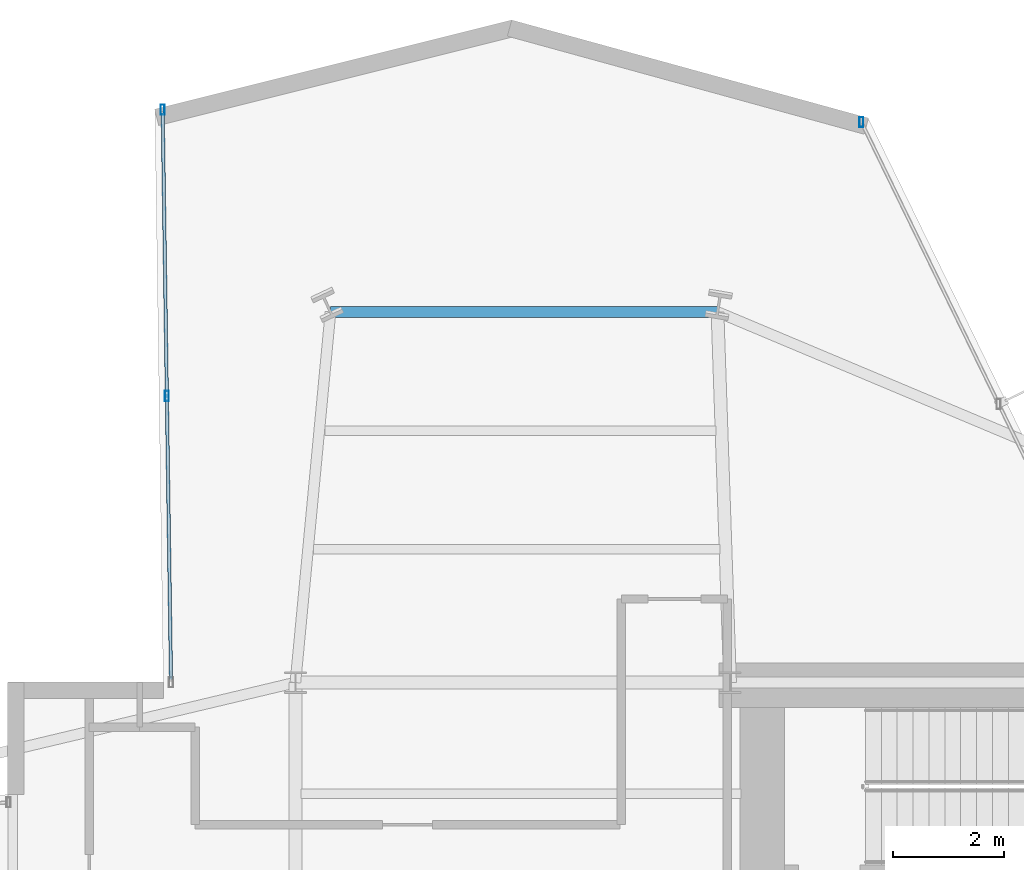
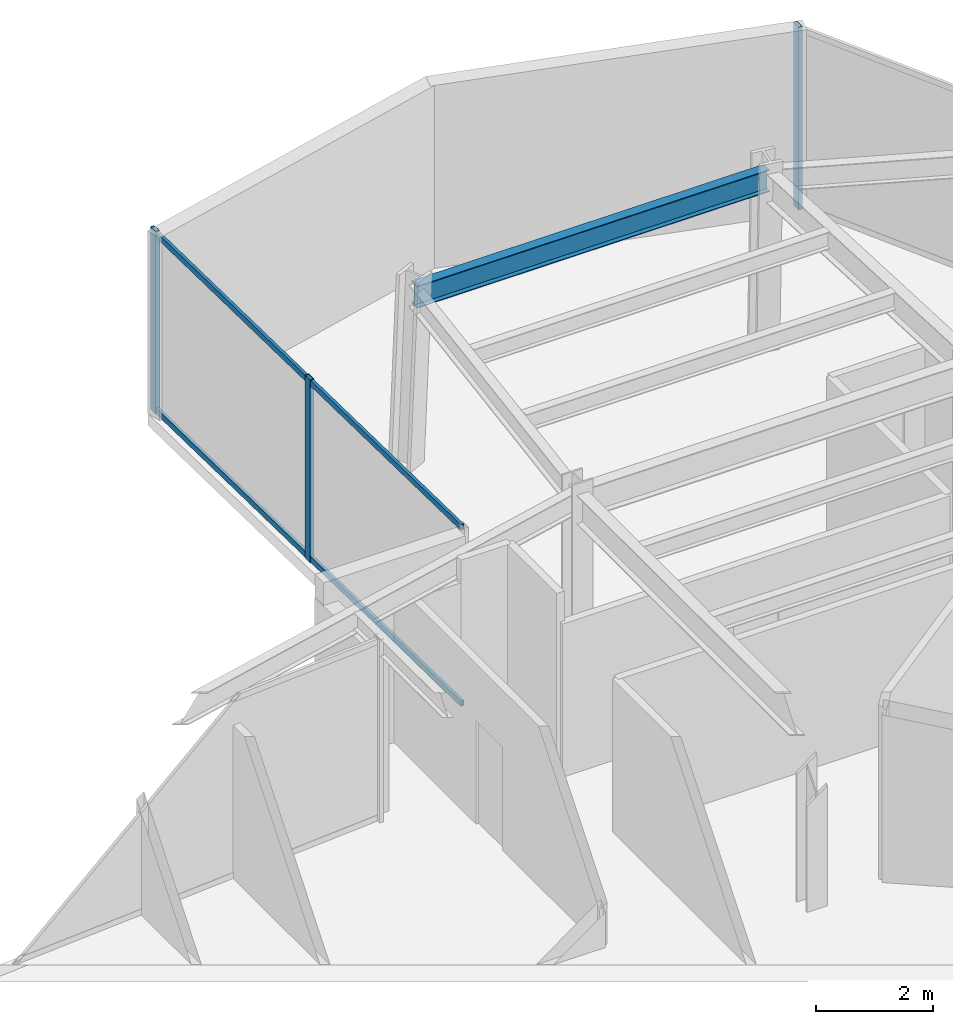
# One storey, part 18 of 24: 5 members, 1 beam, 2 elements without a shape of their own.
"""IFC4 building model written with IfcOpenShell, lengths in metres."""

from ifc_helpers import new_model, si_unit, direction, frame, origin, origin_2d, place, context, subcontext, project, spatial, hollow_rectangle, i_section, extrude, material, layer, layer_set, material_profile, profile_set, type_object, element, aggregate, save


model = new_model("IFC4")

# Units and contexts
model_context = context("Model", 3, precision=1e-05, world=origin(), true_north=direction((0.0, 1.0)))
body_context = subcontext(model_context, "Body", "Model", "MODEL_VIEW")
ifc_project = project(units=[si_unit("LENGTHUNIT", "METRE"), si_unit("AREAUNIT", "SQUARE_METRE"), si_unit("VOLUMEUNIT", "CUBIC_METRE"), si_unit("PLANEANGLEUNIT", "RADIAN"), si_unit("MASSUNIT", "GRAM", prefix="KILO")], contexts=[model_context])

# Site, building, storey
site_placement = place(None, origin())
site = spatial("IfcSite", under=ifc_project, at=site_placement, CompositionType="ELEMENT")
building_placement = place(site_placement, origin())
building = spatial("IfcBuilding", under=site, at=building_placement, Name="Veymaron Broadcast Tower", CompositionType="ELEMENT")
storey_placement = place(building_placement, frame((0.0, 0.0, 124.949951171875)))
storey = spatial("IfcBuildingStorey", under=building, at=storey_placement, Name="L28", CompositionType="ELEMENT", Elevation=124.949951171875)

# Beam
ifc_material_1 = material(Name="Structural steel ASTM A992 Gr 50", Category="steel")
ifc_material_profile_1 = material_profile(ifc_material_1, i_section(OverallWidth=0.19091796875, OverallDepth=0.4599609375, WebThickness=0.010009765625, FlangeThickness=0.01611328125, at=origin_2d()), Name="W460X82")
ifc_profile_set_1 = profile_set([ifc_material_profile_1], Name="Structural steel ASTM A992 Gr 50")
beam_type = type_object("IfcBeamType", Name="BM-SP1", PredefinedType="SPANDREL", material=ifc_profile_set_1)
beam_placement = place(storey_placement, frame((31.830078125, 38.64990234375, 3.580078125), z_axis=(1.0, 0.0, 0.0), x_axis=(0.0, 1.0, 0.0)))
element("IfcBeam", 1, at=beam_placement, inside=storey, type_object=beam_type, Name="L28 primary structural floor girder", PredefinedType="SPANDREL", context=body_context, shape_type="SweptSolid", body=[
    extrude(i_section(OverallWidth=0.19091796875, OverallDepth=0.4599609375, WebThickness=0.010009765625, FlangeThickness=0.01611328125, at=origin_2d()), origin(), (0.0, 0.0, 1.0), 6.94482421875),
])

# Curtain wall, member
ifc_material_2 = material(Name="Anodised aluminium AA 6063-T6 and laminated low-E dark glass", Category="aluminium")
ifc_layer = layer(ifc_material_2, 0.179931640625)
ifc_layer_set = layer_set([ifc_layer], Name="Anodised aluminium AA 6063-T6 and laminated low-E dark glass")
curtain_wall_type = type_object("IfcCurtainWallType", Name="CW-SYS-03", PredefinedType="NOTDEFINED", material=ifc_layer_set)
curtain_wall_1_placement = place(storey_placement, origin())
curtain_wall_1 = element("IfcCurtainWall", 2, at=curtain_wall_1_placement, inside=storey, type_object=curtain_wall_type, Name="L28 dark-glass curtain wall CW-L28-E5-1", PredefinedType="NOTDEFINED")
ifc_material_3 = material(Name="Anodised aluminium AA 6063-T6", Category="aluminium")
ifc_material_profile_2 = material_profile(ifc_material_3, hollow_rectangle(XDim=0.074951171875, YDim=0.179931640625, WallThickness=0.0048828125, at=origin_2d()), Name="AL180X75X5")
ifc_profile_set_2 = profile_set([ifc_material_profile_2], Name="Anodised aluminium AA 6063-T6")
member_type_1 = type_object("IfcMemberType", Name="CW-MUL-02", PredefinedType="MULLION", material=ifc_profile_set_2)
member_1_placement = place(storey_placement, frame((41.356201171875, 42.05859375, 0.0), z_axis=(0.0, 0.0, 1.0), x_axis=(1.0, 0.0, 0.0)))
member_1 = element("IfcMember", 3, at=member_1_placement, type_object=member_type_1, Name="CW-L28-E5-1 mullion 2", PredefinedType="MULLION", context=body_context, shape_type="SweptSolid", body=[
    extrude(hollow_rectangle(XDim=0.074951171875, YDim=0.179931640625, WallThickness=0.0048828125, at=origin_2d()), origin(), (0.0, 0.0, 1.0), 3.81005859375),
])
aggregate(curtain_wall_1, [member_1])

# Curtain wall, members
curtain_wall_2_placement = place(storey_placement, origin())
curtain_wall_2 = element("IfcCurtainWall", 4, at=curtain_wall_2_placement, inside=storey, type_object=curtain_wall_type, Name="L28 dark-glass curtain wall CW-L28-E8-1", PredefinedType="NOTDEFINED")
member_2_placement = place(storey_placement, frame((28.81787109375, 42.281982421875, 0.0), z_axis=(0.0, 0.0, 1.0), x_axis=(1.0, 0.0, 0.0)))
member_2 = element("IfcMember", 5, at=member_2_placement, type_object=member_type_1, Name="CW-L28-E8-1 mullion 0", PredefinedType="MULLION", context=body_context, shape_type="SweptSolid", body=[
    extrude(hollow_rectangle(XDim=0.074951171875, YDim=0.179931640625, WallThickness=0.0048828125, at=origin_2d()), origin(), (0.0, 0.0, 1.0), 3.81005859375),
])
member_3_placement = place(storey_placement, frame((28.89306640625, 37.14208984375, 0.0), z_axis=(0.0, 0.0, 1.0), x_axis=(1.0, 0.0, 0.0)))
member_3 = element("IfcMember", 6, at=member_3_placement, type_object=member_type_1, Name="CW-L28-E8-1 mullion 1", PredefinedType="MULLION", context=body_context, shape_type="SweptSolid", body=[
    extrude(hollow_rectangle(XDim=0.074951171875, YDim=0.179931640625, WallThickness=0.0048828125, at=origin_2d()), origin(), (0.0, 0.0, 1.0), 3.81005859375),
])
ifc_material_profile_3 = material_profile(ifc_material_3, hollow_rectangle(XDim=0.06005859375, YDim=0.1201171875, WallThickness=0.00390625, at=origin_2d()), Name="AL120X60X4")
ifc_profile_set_3 = profile_set([ifc_material_profile_3], Name="Anodised aluminium AA 6063-T6")
member_type_2 = type_object("IfcMemberType", Name="CW-TRN-02", PredefinedType="USERDEFINED", material=ifc_profile_set_3)
member_4_placement = place(storey_placement, frame((28.818603515625, 42.23193359375, 0.070068359375), z_axis=(0.014627784613, -0.999893008235, 0.0), x_axis=(0.999893008235, 0.014627784613, 0.0)))
member_4 = element("IfcMember", 7, at=member_4_placement, type_object=member_type_2, Name="CW-L28-E8-1 transom B", ObjectType="TRANSOM", PredefinedType="USERDEFINED", context=body_context, shape_type="SweptSolid", body=[
    extrude(hollow_rectangle(XDim=0.06005859375, YDim=0.1201171875, WallThickness=0.00390625, at=origin_2d()), origin(), (0.0, 0.0, 1.0), 10.180908203125),
])
member_5_placement = place(storey_placement, frame((28.818603515625, 42.23193359375, 3.739990234375), z_axis=(0.014627784613, -0.999893008235, 0.0), x_axis=(0.999893008235, 0.014627784613, 0.0)))
member_5 = element("IfcMember", 8, at=member_5_placement, type_object=member_type_2, Name="CW-L28-E8-1 transom T", ObjectType="TRANSOM", PredefinedType="USERDEFINED", context=body_context, shape_type="SweptSolid", body=[
    extrude(hollow_rectangle(XDim=0.06005859375, YDim=0.1201171875, WallThickness=0.00390625, at=origin_2d()), origin(), (0.0, 0.0, 1.0), 10.180908203125),
])
aggregate(curtain_wall_2, [member_2, member_3, member_4, member_5])

save(model, "model.ifc")
